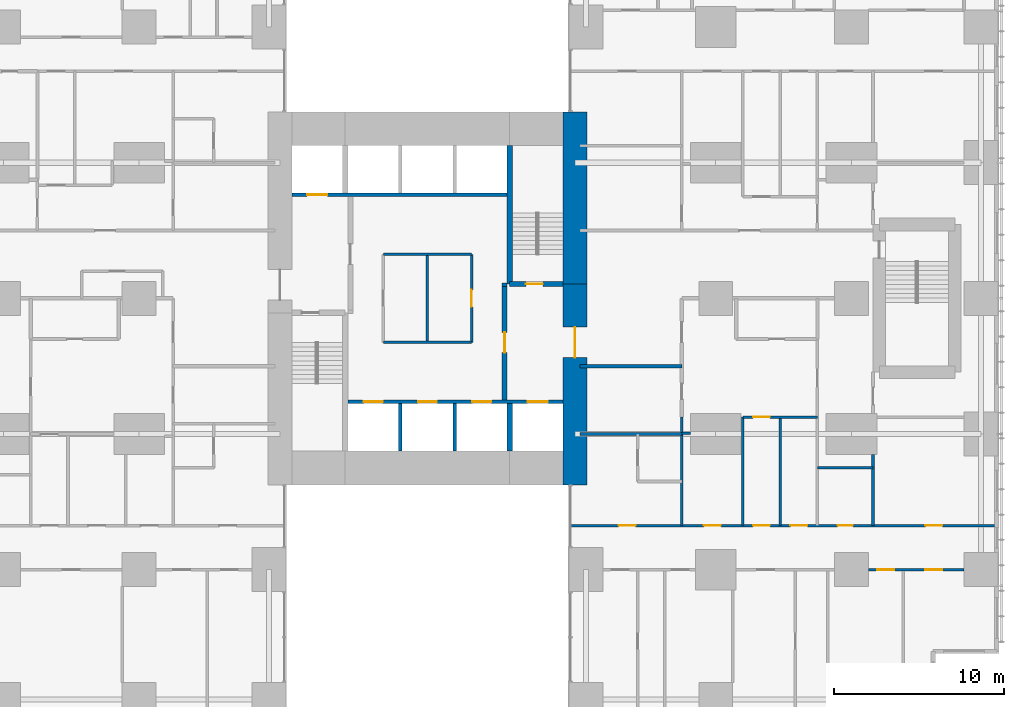
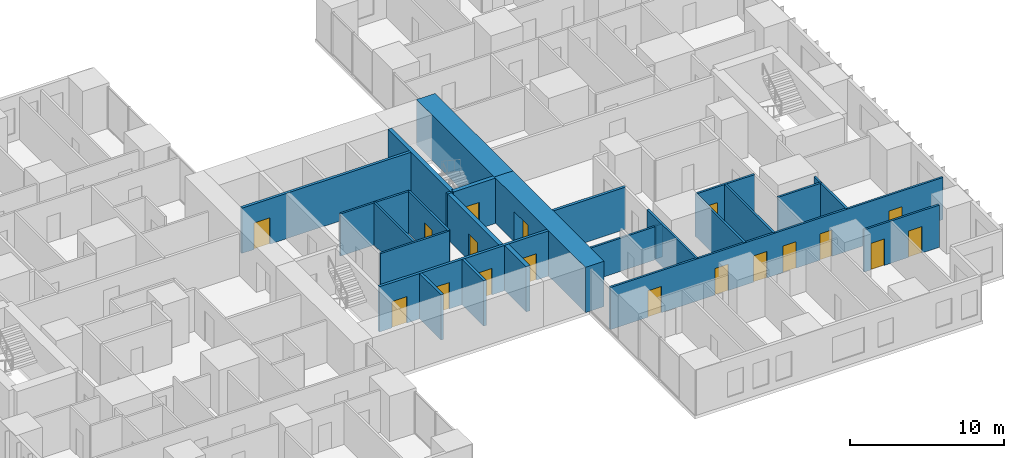
# One storey, part 15 of 20: 26 walls, 18 doors, 18 openings.
"""IFC4 building model written with IfcOpenShell, lengths in metres."""

from ifc_helpers import new_model, si_unit, direction, frame, frame_2d, origin, place, context, subcontext, project, spatial, rectangle, extrude, material, layer, layer_set, type_object, element, fill, save


model = new_model("IFC4")

# Units and contexts
model_context = context("Model", 3, precision=1e-05, world=origin(), true_north=direction((0.0, 1.0)))
body_context = subcontext(model_context, "Body", "Model", "MODEL_VIEW")
ifc_project = project(units=[si_unit("LENGTHUNIT", "METRE"), si_unit("AREAUNIT", "SQUARE_METRE"), si_unit("VOLUMEUNIT", "CUBIC_METRE"), si_unit("PLANEANGLEUNIT", "RADIAN"), si_unit("MASSUNIT", "GRAM", prefix="KILO")], contexts=[model_context])

# Site, building, storey
site_placement = place(None, origin())
site = spatial("IfcSite", under=ifc_project, at=site_placement, CompositionType="ELEMENT")
building_placement = place(site_placement, origin())
building = spatial("IfcBuilding", under=site, at=building_placement, Name="Cleftline Residences", CompositionType="ELEMENT")
storey_placement = place(building_placement, frame((0.0, 0.0, 83.60009765625)))
storey = spatial("IfcBuildingStorey", under=building, at=storey_placement, Name="L21", CompositionType="ELEMENT", Elevation=83.60009765625)

# Wall, opening, door
ifc_material_1 = material(Name="Concrete B70", Category="concrete")
ifc_layer_1 = layer(ifc_material_1, 1.39990234375)
ifc_layer_set_1 = layer_set([ifc_layer_1], Name="CORE WALL 1400")
wall_type_1 = type_object("IfcWallType", Name="CORE WALL 1400", PredefinedType="SHEAR", material=ifc_layer_set_1)
wall_1_placement = place(storey_placement, frame((41.699951171875, 13.0, 0.0), z_axis=(0.0, 0.0, 1.0), x_axis=(0.0, 1.0, 0.0)))
wall_1 = element("IfcWall", 1, at=wall_1_placement, inside=storey, type_object=wall_type_1, Name="Core wall E", PredefinedType="SHEAR", context=body_context, shape_type="SweptSolid", body=[
    extrude(rectangle(XDim=11.85009765625, YDim=1.39990234375, at=frame_2d((5.925048828125, 0.0))), origin(), (0.0, 0.0, 1.0), 3.599853515625),
])
opening_1_placement = place(wall_1_placement, frame((7.5, 0.0, 0.0)))
opening_1 = element("IfcOpeningElement", 2, at=opening_1_placement, cuts=wall_1, Name="Opening D7", PredefinedType="OPENING", context=body_context, shape_type="SweptSolid", body=[
    extrude(rectangle(XDim=1.800048828125, YDim=2.39990234375, at=frame_2d((0.89990234375, 1.199951171875))), frame((0.0, 0.7099609375, 0.0), z_axis=(0.0, -1.0, 0.0), x_axis=(1.0, 0.0, 0.0)), (0.0, 0.0, 1.0), 1.419921875),
])
ifc_material_2 = material(Name="Steel", Category="steel")
door_type_1 = type_object("IfcDoorType", Name="WING DOOR 1800X2400", OperationType="DOUBLE_DOOR_DOUBLE_SWING", PredefinedType="DOOR", material=ifc_material_2)
door_1_placement = place(opening_1_placement, origin())
door_1 = element("IfcDoor", 3, at=door_1_placement, inside=storey, type_object=door_type_1, Name="East wing door", OperationType="DOUBLE_DOOR_DOUBLE_SWING", OverallHeight=2.39990234375, OverallWidth=1.800048828125, PredefinedType="DOOR", context=body_context, shape_type="SweptSolid", body=[
    extrude(rectangle(XDim=1.800048828125, YDim=2.39990234375, at=frame_2d((0.89990234375, 1.199951171875))), frame((0.0, 0.02490234375, 0.0), z_axis=(0.0, -1.0, 0.0), x_axis=(1.0, 0.0, 0.0)), (0.0, 0.0, 1.0), 0.050048828125),
])
fill(opening_1, door_1)

# Walls
wall_2_placement = place(storey_placement, frame((41.699951171875, 24.85009765625, 0.0), z_axis=(0.0, 0.0, 1.0), x_axis=(0.0, 1.0, 0.0)))
element("IfcWall", 4, at=wall_2_placement, inside=storey, type_object=wall_type_1, Name="Core wall E1", PredefinedType="SHEAR", context=body_context, shape_type="SweptSolid", body=[
    extrude(rectangle(XDim=10.14990234375, YDim=1.39990234375, at=frame_2d((5.074951171875, 0.0))), origin(), (0.0, 0.0, 1.0), 3.599853515625),
])
ifc_material_3 = material(Name="Concrete B70", Category="concrete")
ifc_layer_2 = layer(ifc_material_3, 0.300048828125)
ifc_layer_set_2 = layer_set([ifc_layer_2], Name="CORE WALL 300")
wall_type_2 = type_object("IfcWallType", Name="CORE WALL 300", PredefinedType="SHEAR", material=ifc_layer_set_2)
wall_3_placement = place(storey_placement, frame((37.85009765625, 24.85009765625, 0.0), z_axis=(0.0, 0.0, 1.0), x_axis=(0.0, 1.0, 0.0)))
element("IfcWall", 5, at=wall_3_placement, inside=storey, type_object=wall_type_2, Name="Core wall SB-W", PredefinedType="SHEAR", context=body_context, shape_type="SweptSolid", body=[
    extrude(rectangle(XDim=8.14990234375, YDim=0.300048828125, at=frame_2d((4.074951171875, 0.0))), origin(), (0.0, 0.0, 1.0), 3.599853515625),
])

# Wall, opening, door
wall_4_placement = place(storey_placement, frame((37.85009765625, 24.85009765625, 0.0), z_axis=(0.0, 0.0, 1.0), x_axis=(1.0, 0.0, 0.0)))
wall_4 = element("IfcWall", 6, at=wall_4_placement, inside=storey, type_object=wall_type_2, Name="Core wall SB-S", PredefinedType="SHEAR", context=body_context, shape_type="SweptSolid", body=[
    extrude(rectangle(XDim=3.14990234375, YDim=0.300048828125, at=frame_2d((1.574951171875, 0.0))), origin(), (0.0, 0.0, 1.0), 3.599853515625),
])
opening_2_placement = place(wall_4_placement, frame((0.949951171875, 0.0, 0.0)))
opening_2 = element("IfcOpeningElement", 7, at=opening_2_placement, cuts=wall_4, Name="Opening D5", PredefinedType="OPENING", context=body_context, shape_type="SweptSolid", body=[
    extrude(rectangle(XDim=1.0, YDim=2.10009765625, at=frame_2d((0.5, 1.050048828125))), frame((0.0, 0.159912109375, 0.0), z_axis=(0.0, -1.0, 0.0), x_axis=(1.0, 0.0, 0.0)), (0.0, 0.0, 1.0), 0.320068359375),
])
ifc_material_4 = material(Name="Steel", Category="steel")
door_type_2 = type_object("IfcDoorType", Name="STAIR DOOR 1000X2100", OperationType="SINGLE_SWING_LEFT", PredefinedType="DOOR", material=ifc_material_4)
door_2_placement = place(opening_2_placement, origin())
door_2 = element("IfcDoor", 8, at=door_2_placement, inside=storey, type_object=door_type_2, Name="Stair B door", OperationType="SINGLE_SWING_RIGHT", OverallHeight=2.10009765625, OverallWidth=1.0, PredefinedType="DOOR", context=body_context, shape_type="SweptSolid", body=[
    extrude(rectangle(XDim=1.0, YDim=2.10009765625, at=frame_2d((0.5, 1.050048828125))), frame((0.0, 0.02490234375, 0.0), z_axis=(0.0, -1.0, 0.0), x_axis=(1.0, 0.0, 0.0)), (0.0, 0.0, 1.0), 0.050048828125),
])
fill(opening_2, door_2)

# Walls
wall_5_placement = place(storey_placement, frame((37.85009765625, 15.0, 0.0), z_axis=(0.0, 0.0, 1.0), x_axis=(0.0, 1.0, 0.0)))
element("IfcWall", 9, at=wall_5_placement, inside=storey, type_object=wall_type_2, Name="Lift shaft wall", PredefinedType="SHEAR", context=body_context, shape_type="SweptSolid", body=[
    extrude(rectangle(XDim=2.800048828125, YDim=0.300048828125, at=frame_2d((1.39990234375, 0.0))), origin(), (0.0, 0.0, 1.0), 3.599853515625),
])
ifc_material_5 = material(Name="Concrete blockwork, fire rated", Category="masonry")
ifc_layer_3 = layer(ifc_material_5, 0.199951171875)
ifc_layer_set_3 = layer_set([ifc_layer_3], Name="FIRE WALL 200")
wall_type_3 = type_object("IfcWallType", Name="FIRE WALL 200", PredefinedType="PARTITIONING", material=ifc_layer_set_3)
wall_6_placement = place(storey_placement, frame((42.0, 20.0, 0.0), z_axis=(0.0, 0.0, 1.0), x_axis=(1.0, 0.0, 0.0)))
element("IfcWall", 10, at=wall_6_placement, inside=storey, type_object=wall_type_3, Name="Fire separating wall", PredefinedType="PARTITIONING", context=body_context, shape_type="SweptSolid", body=[
    extrude(rectangle(XDim=6.0, YDim=0.199951171875, at=frame_2d((3.0, 0.0))), origin(), (0.0, 0.0, 1.0), 3.349853515625),
])
wall_7_placement = place(storey_placement, frame((37.39990234375, 24.800048828125, 0.0), z_axis=(0.0, 0.0, 1.0), x_axis=(1.0, 0.0, 0.0)))
element("IfcWall", 11, at=wall_7_placement, inside=storey, type_object=wall_type_3, Name="Fire separating wall", PredefinedType="PARTITIONING", context=body_context, shape_type="SweptSolid", body=[
    extrude(rectangle(XDim=0.300048828125, YDim=0.199951171875, at=frame_2d((0.14990234375, 0.0))), origin(), (0.0, 0.0, 1.0), 3.599853515625),
])

# Wall, openings, doors
ifc_material_6 = material(Name="Gypsum board on steel studs", Category="steel")
ifc_layer_4 = layer(ifc_material_6, 0.14990234375)
ifc_layer_set_4 = layer_set([ifc_layer_4], Name="PARTITION 150")
wall_type_4 = type_object("IfcWallType", Name="PARTITION 150", PredefinedType="PARTITIONING", material=ifc_layer_set_4)
wall_8_placement = place(storey_placement, frame((59.0, 8.0, 0.0), z_axis=(0.0, 0.0, 1.0), x_axis=(1.0, 0.0, 0.0)))
wall_8 = element("IfcWall", 12, at=wall_8_placement, inside=storey, type_object=wall_type_4, Name="Partition", PredefinedType="PARTITIONING", context=body_context, shape_type="SweptSolid", body=[
    extrude(rectangle(XDim=5.64990234375, YDim=0.14990234375, at=frame_2d((2.824951171875, 0.0))), origin(), (0.0, 0.0, 1.0), 3.349853515625),
])
opening_3_placement = place(wall_8_placement, frame((3.35009765625, 0.0, 0.0)))
opening_3 = element("IfcOpeningElement", 13, at=opening_3_placement, cuts=wall_8, Name="Opening D2", PredefinedType="OPENING", context=body_context, shape_type="SweptSolid", body=[
    extrude(rectangle(XDim=1.0, YDim=2.10009765625, at=frame_2d((0.5, 1.050048828125))), frame((0.0, 0.0849609375, 0.0), z_axis=(0.0, -1.0, 0.0), x_axis=(1.0, 0.0, 0.0)), (0.0, 0.0, 1.0), 0.169921875),
])
opening_4_placement = place(wall_8_placement, frame((0.52490234375, 0.0, 0.0)))
opening_4 = element("IfcOpeningElement", 14, at=opening_4_placement, cuts=wall_8, Name="Opening D2", PredefinedType="OPENING", context=body_context, shape_type="SweptSolid", body=[
    extrude(rectangle(XDim=1.0, YDim=2.10009765625, at=frame_2d((0.5, 1.050048828125))), frame((0.0, 0.0849609375, 0.0), z_axis=(0.0, -1.0, 0.0), x_axis=(1.0, 0.0, 0.0)), (0.0, 0.0, 1.0), 0.169921875),
])
ifc_material_7 = material(Name="Timber veneer on solid core", Category="wood")
door_type_3 = type_object("IfcDoorType", Name="DOOR 1000X2100", OperationType="SINGLE_SWING_LEFT", PredefinedType="DOOR", material=ifc_material_7)
door_3_placement = place(opening_3_placement, origin())
door_3 = element("IfcDoor", 15, at=door_3_placement, inside=storey, type_object=door_type_3, Name="Door to bedroom 2 sitting room", OperationType="SINGLE_SWING_LEFT", OverallHeight=2.10009765625, OverallWidth=1.0, PredefinedType="DOOR", context=body_context, shape_type="SweptSolid", body=[
    extrude(rectangle(XDim=1.0, YDim=2.10009765625, at=frame_2d((0.5, 1.050048828125))), frame((0.0, 0.02490234375, 0.0), z_axis=(0.0, -1.0, 0.0), x_axis=(1.0, 0.0, 0.0)), (0.0, 0.0, 1.0), 0.050048828125),
])
fill(opening_3, door_3)
door_4_placement = place(opening_4_placement, origin())
door_4 = element("IfcDoor", 16, at=door_4_placement, inside=storey, type_object=door_type_3, Name="Door to bedroom 2", OperationType="SINGLE_SWING_RIGHT", OverallHeight=2.10009765625, OverallWidth=1.0, PredefinedType="DOOR", context=body_context, shape_type="SweptSolid", body=[
    extrude(rectangle(XDim=1.0, YDim=2.10009765625, at=frame_2d((0.5, 1.050048828125))), frame((0.0, 0.02490234375, 0.0), z_axis=(0.0, -1.0, 0.0), x_axis=(1.0, 0.0, 0.0)), (0.0, 0.0, 1.0), 0.050048828125),
])
fill(opening_4, door_4)

wall_9_placement = place(storey_placement, frame((41.43896484375, 10.60009765625, 0.0), z_axis=(0.0, 0.0, 1.0), x_axis=(1.0, 0.0, 0.0)))
wall_9 = element("IfcWall", 17, at=wall_9_placement, inside=storey, type_object=wall_type_4, Name="Partition", PredefinedType="PARTITIONING", context=body_context, shape_type="SweptSolid", body=[
    extrude(rectangle(XDim=25.010986328125, YDim=0.14990234375, at=frame_2d((12.50537109375, 0.0))), origin(), (0.0, 0.0, 1.0), 3.349853515625),
])
opening_5_placement = place(wall_9_placement, frame((10.760986328125, 0.0, 0.0)))
opening_5 = element("IfcOpeningElement", 18, at=opening_5_placement, cuts=wall_9, Name="Opening D2", PredefinedType="OPENING", context=body_context, shape_type="SweptSolid", body=[
    extrude(rectangle(XDim=1.0, YDim=2.10009765625, at=frame_2d((0.5, 1.050048828125))), frame((0.0, 0.0849609375, 0.0), z_axis=(0.0, -1.0, 0.0), x_axis=(1.0, 0.0, 0.0)), (0.0, 0.0, 1.0), 0.169921875),
])
opening_6_placement = place(wall_9_placement, frame((20.923583984375, 0.0, 0.0)))
opening_6 = element("IfcOpeningElement", 19, at=opening_6_placement, cuts=wall_9, Name="Opening D2", PredefinedType="OPENING", context=body_context, shape_type="SweptSolid", body=[
    extrude(rectangle(XDim=1.0, YDim=2.10009765625, at=frame_2d((0.5, 1.050048828125))), frame((0.0, 0.0849609375, 0.0), z_axis=(0.0, -1.0, 0.0), x_axis=(1.0, 0.0, 0.0)), (0.0, 0.0, 1.0), 0.169921875),
])
opening_7_placement = place(wall_9_placement, frame((15.74853515625, 0.0, 0.0)))
opening_7 = element("IfcOpeningElement", 20, at=opening_7_placement, cuts=wall_9, Name="Opening D1", PredefinedType="OPENING", context=body_context, shape_type="SweptSolid", body=[
    extrude(rectangle(XDim=0.89990234375, YDim=2.10009765625, at=frame_2d((0.449951171875, 1.050048828125))), frame((0.0, 0.0849609375, 0.0), z_axis=(0.0, -1.0, 0.0), x_axis=(1.0, 0.0, 0.0)), (0.0, 0.0, 1.0), 0.169921875),
])
opening_8_placement = place(wall_9_placement, frame((12.9609375, 0.0, 0.0)))
opening_8 = element("IfcOpeningElement", 21, at=opening_8_placement, cuts=wall_9, Name="Opening D2", PredefinedType="OPENING", context=body_context, shape_type="SweptSolid", body=[
    extrude(rectangle(XDim=1.0, YDim=2.10009765625, at=frame_2d((0.5, 1.050048828125))), frame((0.0, 0.0849609375, 0.0), z_axis=(0.0, -1.0, 0.0), x_axis=(1.0, 0.0, 0.0)), (0.0, 0.0, 1.0), 0.169921875),
])
opening_9_placement = place(wall_9_placement, frame((7.861083984375, 0.0, 0.0)))
opening_9 = element("IfcOpeningElement", 22, at=opening_9_placement, cuts=wall_9, Name="Opening D2", PredefinedType="OPENING", context=body_context, shape_type="SweptSolid", body=[
    extrude(rectangle(XDim=1.0, YDim=2.10009765625, at=frame_2d((0.5, 1.050048828125))), frame((0.0, 0.0849609375, 0.0), z_axis=(0.0, -1.0, 0.0), x_axis=(1.0, 0.0, 0.0)), (0.0, 0.0, 1.0), 0.169921875),
])
opening_10_placement = place(wall_9_placement, frame((2.8359375, 0.0, 0.0)))
opening_10 = element("IfcOpeningElement", 23, at=opening_10_placement, cuts=wall_9, Name="Opening D2", PredefinedType="OPENING", context=body_context, shape_type="SweptSolid", body=[
    extrude(rectangle(XDim=1.0, YDim=2.10009765625, at=frame_2d((0.5, 1.050048828125))), frame((0.0, 0.0849609375, 0.0), z_axis=(0.0, -1.0, 0.0), x_axis=(1.0, 0.0, 0.0)), (0.0, 0.0, 1.0), 0.169921875),
])
door_5_placement = place(opening_5_placement, origin())
door_5 = element("IfcDoor", 24, at=door_5_placement, inside=storey, type_object=door_type_3, Name="Door to residence hall", OperationType="SINGLE_SWING_RIGHT", OverallHeight=2.10009765625, OverallWidth=1.0, PredefinedType="DOOR", context=body_context, shape_type="SweptSolid", body=[
    extrude(rectangle(XDim=1.0, YDim=2.10009765625, at=frame_2d((0.5, 1.050048828125))), frame((0.0, 0.02490234375, 0.0), z_axis=(0.0, -1.0, 0.0), x_axis=(1.0, 0.0, 0.0)), (0.0, 0.0, 1.0), 0.050048828125),
])
fill(opening_5, door_5)
door_6_placement = place(opening_6_placement, origin())
door_6 = element("IfcDoor", 25, at=door_6_placement, inside=storey, type_object=door_type_3, Name="Door to sea-view living room", OperationType="SINGLE_SWING_LEFT", OverallHeight=2.10009765625, OverallWidth=1.0, PredefinedType="DOOR", context=body_context, shape_type="SweptSolid", body=[
    extrude(rectangle(XDim=1.0, YDim=2.10009765625, at=frame_2d((0.5, 1.050048828125))), frame((0.0, 0.02490234375, 0.0), z_axis=(0.0, -1.0, 0.0), x_axis=(1.0, 0.0, 0.0)), (0.0, 0.0, 1.0), 0.050048828125),
])
fill(opening_6, door_6)
door_7_placement = place(opening_8_placement, origin())
door_7 = element("IfcDoor", 26, at=door_7_placement, inside=storey, type_object=door_type_3, Name="Door to family room", OperationType="SINGLE_SWING_LEFT", OverallHeight=2.10009765625, OverallWidth=1.0, PredefinedType="DOOR", context=body_context, shape_type="SweptSolid", body=[
    extrude(rectangle(XDim=1.0, YDim=2.10009765625, at=frame_2d((0.5, 1.050048828125))), frame((0.0, 0.02490234375, 0.0), z_axis=(0.0, -1.0, 0.0), x_axis=(1.0, 0.0, 0.0)), (0.0, 0.0, 1.0), 0.050048828125),
])
fill(opening_8, door_7)
door_8_placement = place(opening_9_placement, origin())
door_8 = element("IfcDoor", 27, at=door_8_placement, inside=storey, type_object=door_type_3, Name="Door to wet kitchen", OperationType="SINGLE_SWING_RIGHT", OverallHeight=2.10009765625, OverallWidth=1.0, PredefinedType="DOOR", context=body_context, shape_type="SweptSolid", body=[
    extrude(rectangle(XDim=1.0, YDim=2.10009765625, at=frame_2d((0.5, 1.050048828125))), frame((0.0, 0.02490234375, 0.0), z_axis=(0.0, -1.0, 0.0), x_axis=(1.0, 0.0, 0.0)), (0.0, 0.0, 1.0), 0.050048828125),
])
fill(opening_9, door_8)
door_9_placement = place(opening_10_placement, origin())
door_9 = element("IfcDoor", 28, at=door_9_placement, inside=storey, type_object=door_type_3, Name="Door to master bedroom", OperationType="SINGLE_SWING_RIGHT", OverallHeight=2.10009765625, OverallWidth=1.0, PredefinedType="DOOR", context=body_context, shape_type="SweptSolid", body=[
    extrude(rectangle(XDim=1.0, YDim=2.10009765625, at=frame_2d((0.5, 1.050048828125))), frame((0.0, 0.02490234375, 0.0), z_axis=(0.0, -1.0, 0.0), x_axis=(1.0, 0.0, 0.0)), (0.0, 0.0, 1.0), 0.050048828125),
])
fill(opening_10, door_9)
ifc_material_8 = material(Name="Timber veneer on solid core", Category="wood")
door_type_4 = type_object("IfcDoorType", Name="DOOR 900X2100", OperationType="SINGLE_SWING_LEFT", PredefinedType="DOOR", material=ifc_material_8)
door_10_placement = place(opening_7_placement, origin())
door_10 = element("IfcDoor", 29, at=door_10_placement, inside=storey, type_object=door_type_4, Name="Door to bedroom 2 bathroom", OperationType="SINGLE_SWING_LEFT", OverallHeight=2.10009765625, OverallWidth=0.89990234375, PredefinedType="DOOR", context=body_context, shape_type="SweptSolid", body=[
    extrude(rectangle(XDim=0.89990234375, YDim=2.10009765625, at=frame_2d((0.449951171875, 1.050048828125))), frame((0.0, 0.02490234375, 0.0), z_axis=(0.0, -1.0, 0.0), x_axis=(1.0, 0.0, 0.0)), (0.0, 0.0, 1.0), 0.050048828125),
])
fill(opening_7, door_10)

# Walls
wall_10_placement = place(storey_placement, frame((56.0, 14.0, 0.0), z_axis=(0.0, 0.0, 1.0), x_axis=(1.0, 0.0, 0.0)))
element("IfcWall", 30, at=wall_10_placement, inside=storey, type_object=wall_type_4, Name="Partition", PredefinedType="PARTITIONING", context=body_context, shape_type="SweptSolid", body=[
    extrude(rectangle(XDim=3.27490234375, YDim=0.14990234375, at=frame_2d((1.637451171875, 0.0))), origin(), (0.0, 0.0, 1.0), 3.349853515625),
])
wall_11_placement = place(storey_placement, frame((42.0, 16.0, 0.0), z_axis=(0.0, 0.0, 1.0), x_axis=(1.0, 0.0, 0.0)))
element("IfcWall", 31, at=wall_11_placement, inside=storey, type_object=wall_type_4, Name="Partition", PredefinedType="PARTITIONING", context=body_context, shape_type="SweptSolid", body=[
    extrude(rectangle(XDim=6.0, YDim=0.14990234375, at=frame_2d((3.0, 0.0))), origin(), (0.0, 0.0, 1.0), 2.6337890625),
])
wall_12_placement = place(storey_placement, frame((48.0, 16.050048828125, 0.0), z_axis=(0.0, 0.0, 1.0), x_axis=(1.0, 0.0, 0.0)))
element("IfcWall", 32, at=wall_12_placement, inside=storey, type_object=wall_type_4, Name="Partition", PredefinedType="PARTITIONING", context=body_context, shape_type="SweptSolid", body=[
    extrude(rectangle(XDim=0.5, YDim=0.14990234375, at=frame_2d((0.25, 0.0))), origin(), (0.0, 0.0, 1.0), 2.6337890625),
])

# Wall, opening, door
wall_13_placement = place(storey_placement, frame((51.60009765625, 17.0, 0.0), z_axis=(0.0, 0.0, 1.0), x_axis=(1.0, 0.0, 0.0)))
wall_13 = element("IfcWall", 33, at=wall_13_placement, inside=storey, type_object=wall_type_4, Name="Partition", PredefinedType="PARTITIONING", context=body_context, shape_type="SweptSolid", body=[
    extrude(rectangle(XDim=4.39990234375, YDim=0.14990234375, at=frame_2d((2.199951171875, 0.0))), origin(), (0.0, 0.0, 1.0), 3.349853515625),
])
opening_11_placement = place(wall_13_placement, frame((0.60009765625, 0.0, 0.0)))
opening_11 = element("IfcOpeningElement", 34, at=opening_11_placement, cuts=wall_13, Name="Opening D2", PredefinedType="OPENING", context=body_context, shape_type="SweptSolid", body=[
    extrude(rectangle(XDim=1.0, YDim=2.10009765625, at=frame_2d((0.5, 1.050048828125))), frame((0.0, 0.0849609375, 0.0), z_axis=(0.0, -1.0, 0.0), x_axis=(1.0, 0.0, 0.0)), (0.0, 0.0, 1.0), 0.169921875),
])
door_11_placement = place(opening_11_placement, origin())
door_11 = element("IfcDoor", 35, at=door_11_placement, inside=storey, type_object=door_type_3, Name="Door to residence passage", OperationType="SINGLE_SWING_RIGHT", OverallHeight=2.10009765625, OverallWidth=1.0, PredefinedType="DOOR", context=body_context, shape_type="SweptSolid", body=[
    extrude(rectangle(XDim=1.0, YDim=2.10009765625, at=frame_2d((0.5, 1.050048828125))), frame((0.0, 0.02490234375, 0.0), z_axis=(0.0, -1.0, 0.0), x_axis=(1.0, 0.0, 0.0)), (0.0, 0.0, 1.0), 0.050048828125),
])
fill(opening_11, door_11)

# Walls
for number, where, z_axis, x_axis, name in (
    (36, (48.0, 10.60009765625, 0.0), (0.0, 0.0, 1.0), (0.0, 1.0, 0.0), "Partition"),
    (37, (51.60009765625, 10.60009765625, 0.0), (0.0, 0.0, 1.0), (0.0, 1.0, 0.0), "Partition"),
    (38, (53.800048828125, 10.60009765625, 0.0), (0.0, 0.0, 1.0), (0.0, 1.0, 0.0), "Partition"),
):
    element("IfcWall", number, at=place(storey_placement, frame(where, z_axis=z_axis, x_axis=x_axis)), inside=storey, type_object=wall_type_4, Name=name, PredefinedType="PARTITIONING", context=body_context, shape_type="SweptSolid", body=[
        extrude(rectangle(XDim=6.39990234375, YDim=0.14990234375, at=frame_2d((3.199951171875, 0.0))), origin(), (0.0, 0.0, 1.0), 3.349853515625),
    ])
wall_14_placement = place(storey_placement, frame((59.27490234375, 10.60009765625, 0.0), z_axis=(0.0, 0.0, 1.0), x_axis=(0.0, 1.0, 0.0)))
element("IfcWall", 39, at=wall_14_placement, inside=storey, type_object=wall_type_4, Name="Partition", PredefinedType="PARTITIONING", context=body_context, shape_type="SweptSolid", body=[
    extrude(rectangle(XDim=4.199951171875, YDim=0.14990234375, at=frame_2d((2.10009765625, 0.0))), origin(), (0.0, 0.0, 1.0), 3.349853515625),
])
ifc_material_9 = material(Name="Fire-resisting gypsum board on steel studs", Category="steel")
ifc_layer_5 = layer(ifc_material_9, 0.14990234375)
ifc_layer_set_5 = layer_set([ifc_layer_5], Name="PARTITION 150 EI 60")
wall_type_5 = type_object("IfcWallType", Name="PARTITION 150 EI 60", PredefinedType="PARTITIONING", material=ifc_layer_set_5)
for number, where, z_axis, x_axis, name in (
    (40, (30.39990234375, 21.39990234375, 0.0), (0.0, 0.0, 1.0), (1.0, 0.0, 0.0), "Core room partition"),
    (41, (30.39990234375, 26.60009765625, 0.0), (0.0, 0.0, 1.0), (1.0, 0.0, 0.0), "Core room partition"),
):
    element("IfcWall", number, at=place(storey_placement, frame(where, z_axis=z_axis, x_axis=x_axis)), inside=storey, type_object=wall_type_5, Name=name, PredefinedType="PARTITIONING", context=body_context, shape_type="SweptSolid", body=[
        extrude(rectangle(XDim=5.2001953125, YDim=0.14990234375, at=frame_2d((2.60009765625, 0.0))), origin(), (0.0, 0.0, 1.0), 3.349853515625),
    ])

# Wall, opening, door
wall_15_placement = place(storey_placement, frame((35.60009765625, 21.39990234375, 0.0), z_axis=(0.0, 0.0, 1.0), x_axis=(0.0, 1.0, 0.0)))
wall_15 = element("IfcWall", 42, at=wall_15_placement, inside=storey, type_object=wall_type_5, Name="Core room partition", PredefinedType="PARTITIONING", context=body_context, shape_type="SweptSolid", body=[
    extrude(rectangle(XDim=5.2001953125, YDim=0.14990234375, at=frame_2d((2.60009765625, 0.0))), origin(), (0.0, 0.0, 1.0), 3.349853515625),
])
opening_12_placement = place(wall_15_placement, frame((2.10009765625, 0.0, 0.0)))
opening_12 = element("IfcOpeningElement", 43, at=opening_12_placement, cuts=wall_15, Name="Opening D2F60", PredefinedType="OPENING", context=body_context, shape_type="SweptSolid", body=[
    extrude(rectangle(XDim=1.0, YDim=2.10009765625, at=frame_2d((0.5, 1.050048828125))), frame((0.0, 0.0849609375, 0.0), z_axis=(0.0, -1.0, 0.0), x_axis=(1.0, 0.0, 0.0)), (0.0, 0.0, 1.0), 0.169921875),
])
ifc_material_10 = material(Name="Timber veneer on solid core", Category="wood")
door_type_5 = type_object("IfcDoorType", Name="DOOR 1000X2100 EI 60", OperationType="SINGLE_SWING_LEFT", PredefinedType="DOOR", material=ifc_material_10)
door_12_placement = place(opening_12_placement, origin())
door_12 = element("IfcDoor", 44, at=door_12_placement, inside=storey, type_object=door_type_5, Name="Door to communications room", OperationType="SINGLE_SWING_LEFT", OverallHeight=2.10009765625, OverallWidth=1.0, PredefinedType="DOOR", context=body_context, shape_type="SweptSolid", body=[
    extrude(rectangle(XDim=1.0, YDim=2.10009765625, at=frame_2d((0.5, 1.050048828125))), frame((0.0, 0.02490234375, 0.0), z_axis=(0.0, -1.0, 0.0), x_axis=(1.0, 0.0, 0.0)), (0.0, 0.0, 1.0), 0.050048828125),
])
fill(opening_12, door_12)

# Wall
wall_16_placement = place(storey_placement, frame((33.0, 21.39990234375, 0.0), z_axis=(0.0, 0.0, 1.0), x_axis=(0.0, 1.0, 0.0)))
element("IfcWall", 45, at=wall_16_placement, inside=storey, type_object=wall_type_5, Name="Core room partition", PredefinedType="PARTITIONING", context=body_context, shape_type="SweptSolid", body=[
    extrude(rectangle(XDim=5.2001953125, YDim=0.14990234375, at=frame_2d((2.60009765625, 0.0))), origin(), (0.0, 0.0, 1.0), 3.349853515625),
])

# Wall, openings, doors
ifc_material_11 = material(Name="Concrete blockwork, fire rated", Category="masonry")
ifc_layer_6 = layer(ifc_material_11, 0.199951171875)
ifc_layer_set_6 = layer_set([ifc_layer_6], Name="SHAFT WALL 200")
wall_type_6 = type_object("IfcWallType", Name="SHAFT WALL 200", PredefinedType="PARTITIONING", material=ifc_layer_set_6)
wall_17_placement = place(storey_placement, frame((28.300048828125, 17.89990234375, 0.0), z_axis=(0.0, 0.0, 1.0), x_axis=(1.0, 0.0, 0.0)))
wall_17 = element("IfcWall", 46, at=wall_17_placement, inside=storey, type_object=wall_type_6, Name="Lift shaft wall", PredefinedType="PARTITIONING", context=body_context, shape_type="SweptSolid", body=[
    extrude(rectangle(XDim=12.699951171875, YDim=0.199951171875, at=frame_2d((6.35009765625, 0.0))), origin(), (0.0, 0.0, 1.0), 3.599853515625),
])
opening_13_placement = place(wall_17_placement, frame((0.949951171875, 0.0, 0.0)))
opening_13 = element("IfcOpeningElement", 47, at=opening_13_placement, cuts=wall_17, Name="Opening LD1", PredefinedType="OPENING", context=body_context, shape_type="SweptSolid", body=[
    extrude(rectangle(XDim=1.10009765625, YDim=2.10009765625, at=frame_2d((0.550048828125, 1.050048828125))), frame((0.0, 0.10986328125, 0.0), z_axis=(0.0, -1.0, 0.0), x_axis=(1.0, 0.0, 0.0)), (0.0, 0.0, 1.0), 0.219970703125),
])
opening_14_placement = place(wall_17_placement, frame((4.14990234375, 0.0, 0.0)))
opening_14 = element("IfcOpeningElement", 48, at=opening_14_placement, cuts=wall_17, Name="Opening LD1", PredefinedType="OPENING", context=body_context, shape_type="SweptSolid", body=[
    extrude(rectangle(XDim=1.10009765625, YDim=2.10009765625, at=frame_2d((0.550048828125, 1.050048828125))), frame((0.0, 0.10986328125, 0.0), z_axis=(0.0, -1.0, 0.0), x_axis=(1.0, 0.0, 0.0)), (0.0, 0.0, 1.0), 0.219970703125),
])
opening_15_placement = place(wall_17_placement, frame((7.35009765625, 0.0, 0.0)))
opening_15 = element("IfcOpeningElement", 49, at=opening_15_placement, cuts=wall_17, Name="Opening LD1", PredefinedType="OPENING", context=body_context, shape_type="SweptSolid", body=[
    extrude(rectangle(XDim=1.10009765625, YDim=2.10009765625, at=frame_2d((0.550048828125, 1.050048828125))), frame((0.0, 0.10986328125, 0.0), z_axis=(0.0, -1.0, 0.0), x_axis=(1.0, 0.0, 0.0)), (0.0, 0.0, 1.0), 0.219970703125),
])
opening_16_placement = place(wall_17_placement, frame((10.60009765625, 0.0, 0.0)))
opening_16 = element("IfcOpeningElement", 50, at=opening_16_placement, cuts=wall_17, Name="Opening LD2", PredefinedType="OPENING", context=body_context, shape_type="SweptSolid", body=[
    extrude(rectangle(XDim=1.199951171875, YDim=2.10009765625, at=frame_2d((0.60009765625, 1.050048828125))), frame((0.0, 0.10986328125, 0.0), z_axis=(0.0, -1.0, 0.0), x_axis=(1.0, 0.0, 0.0)), (0.0, 0.0, 1.0), 0.219970703125),
])
ifc_material_12 = material(Name="Steel", Category="steel")
door_type_6 = type_object("IfcDoorType", Name="FIREFIGHTING LIFT LANDING DOOR 1200X2100", OperationType="SLIDING_TO_LEFT", PredefinedType="DOOR", material=ifc_material_12)
door_13_placement = place(opening_16_placement, origin())
door_13 = element("IfcDoor", 51, at=door_13_placement, inside=storey, type_object=door_type_6, Name="Lift FL2 landing door", OperationType="SLIDING_TO_LEFT", OverallHeight=2.10009765625, OverallWidth=1.199951171875, PredefinedType="DOOR", context=body_context, shape_type="SweptSolid", body=[
    extrude(rectangle(XDim=1.199951171875, YDim=2.10009765625, at=frame_2d((0.60009765625, 1.050048828125))), frame((0.0, 0.02490234375, 0.0), z_axis=(0.0, -1.0, 0.0), x_axis=(1.0, 0.0, 0.0)), (0.0, 0.0, 1.0), 0.050048828125),
])
fill(opening_16, door_13)
ifc_material_13 = material(Name="Steel", Category="steel")
door_type_7 = type_object("IfcDoorType", Name="LIFT LANDING DOOR 1100X2100", OperationType="SLIDING_TO_LEFT", PredefinedType="DOOR", material=ifc_material_13)
door_14_placement = place(opening_13_placement, origin())
door_14 = element("IfcDoor", 52, at=door_14_placement, inside=storey, type_object=door_type_7, Name="Lift P1 landing door", OperationType="SLIDING_TO_LEFT", OverallHeight=2.10009765625, OverallWidth=1.10009765625, PredefinedType="DOOR", context=body_context, shape_type="SweptSolid", body=[
    extrude(rectangle(XDim=1.10009765625, YDim=2.10009765625, at=frame_2d((0.550048828125, 1.050048828125))), frame((0.0, 0.02490234375, 0.0), z_axis=(0.0, -1.0, 0.0), x_axis=(1.0, 0.0, 0.0)), (0.0, 0.0, 1.0), 0.050048828125),
])
fill(opening_13, door_14)
door_15_placement = place(opening_14_placement, origin())
door_15 = element("IfcDoor", 53, at=door_15_placement, inside=storey, type_object=door_type_7, Name="Lift P2 landing door", OperationType="SLIDING_TO_LEFT", OverallHeight=2.10009765625, OverallWidth=1.10009765625, PredefinedType="DOOR", context=body_context, shape_type="SweptSolid", body=[
    extrude(rectangle(XDim=1.10009765625, YDim=2.10009765625, at=frame_2d((0.550048828125, 1.050048828125))), frame((0.0, 0.02490234375, 0.0), z_axis=(0.0, -1.0, 0.0), x_axis=(1.0, 0.0, 0.0)), (0.0, 0.0, 1.0), 0.050048828125),
])
fill(opening_14, door_15)
door_16_placement = place(opening_15_placement, origin())
door_16 = element("IfcDoor", 54, at=door_16_placement, inside=storey, type_object=door_type_7, Name="Lift P3 landing door", OperationType="SLIDING_TO_LEFT", OverallHeight=2.10009765625, OverallWidth=1.10009765625, PredefinedType="DOOR", context=body_context, shape_type="SweptSolid", body=[
    extrude(rectangle(XDim=1.10009765625, YDim=2.10009765625, at=frame_2d((0.550048828125, 1.050048828125))), frame((0.0, 0.02490234375, 0.0), z_axis=(0.0, -1.0, 0.0), x_axis=(1.0, 0.0, 0.0)), (0.0, 0.0, 1.0), 0.050048828125),
])
fill(opening_15, door_16)

# Wall, opening, door
wall_18_placement = place(storey_placement, frame((25.0, 30.10009765625, 0.0), z_axis=(0.0, 0.0, 1.0), x_axis=(1.0, 0.0, 0.0)))
wall_18 = element("IfcWall", 55, at=wall_18_placement, inside=storey, type_object=wall_type_6, Name="Lift shaft wall", PredefinedType="PARTITIONING", context=body_context, shape_type="SweptSolid", body=[
    extrude(rectangle(XDim=12.699951171875, YDim=0.199951171875, at=frame_2d((6.35009765625, 0.0))), origin(), (0.0, 0.0, 1.0), 3.599853515625),
])
opening_17_placement = place(wall_18_placement, frame((0.89990234375, 0.0, 0.0)))
opening_17 = element("IfcOpeningElement", 56, at=opening_17_placement, cuts=wall_18, Name="Opening LD2", PredefinedType="OPENING", context=body_context, shape_type="SweptSolid", body=[
    extrude(rectangle(XDim=1.199951171875, YDim=2.10009765625, at=frame_2d((0.60009765625, 1.050048828125))), frame((0.0, 0.10986328125, 0.0), z_axis=(0.0, -1.0, 0.0), x_axis=(1.0, 0.0, 0.0)), (0.0, 0.0, 1.0), 0.219970703125),
])
door_17_placement = place(opening_17_placement, origin())
door_17 = element("IfcDoor", 57, at=door_17_placement, inside=storey, type_object=door_type_6, Name="Lift FL1 landing door", OperationType="SLIDING_TO_LEFT", OverallHeight=2.10009765625, OverallWidth=1.199951171875, PredefinedType="DOOR", context=body_context, shape_type="SweptSolid", body=[
    extrude(rectangle(XDim=1.199951171875, YDim=2.10009765625, at=frame_2d((0.60009765625, 1.050048828125))), frame((0.0, 0.02490234375, 0.0), z_axis=(0.0, -1.0, 0.0), x_axis=(1.0, 0.0, 0.0)), (0.0, 0.0, 1.0), 0.050048828125),
])
fill(opening_17, door_17)

# Walls
for number, where, z_axis, x_axis, name in (
    (58, (31.39990234375, 15.0, 0.0), (0.0, 0.0, 1.0), (0.0, 1.0, 0.0), "Lift shaft wall"),
    (59, (34.60009765625, 15.0, 0.0), (0.0, 0.0, 1.0), (0.0, 1.0, 0.0), "Lift shaft wall"),
):
    element("IfcWall", number, at=place(storey_placement, frame(where, z_axis=z_axis, x_axis=x_axis)), inside=storey, type_object=wall_type_6, Name=name, PredefinedType="PARTITIONING", context=body_context, shape_type="SweptSolid", body=[
        extrude(rectangle(XDim=2.800048828125, YDim=0.199951171875, at=frame_2d((1.39990234375, 0.0))), origin(), (0.0, 0.0, 1.0), 3.599853515625),
    ])

# Wall, opening, door
ifc_material_14 = material(Name="Concrete blockwork, fire rated", Category="masonry")
ifc_layer_7 = layer(ifc_material_14, 0.300048828125)
ifc_layer_set_7 = layer_set([ifc_layer_7], Name="STAIR LOBBY WALL 300")
wall_type_7 = type_object("IfcWallType", Name="STAIR LOBBY WALL 300", PredefinedType="PARTITIONING", material=ifc_layer_set_7)
wall_19_placement = place(storey_placement, frame((37.550048828125, 18.0, 0.0), z_axis=(0.0, 0.0, 1.0), x_axis=(0.0, 1.0, 0.0)))
wall_19 = element("IfcWall", 60, at=wall_19_placement, inside=storey, type_object=wall_type_7, Name="Stair and lobby wall FB-W", PredefinedType="PARTITIONING", context=body_context, shape_type="SweptSolid", body=[
    extrude(rectangle(XDim=6.699951171875, YDim=0.300048828125, at=frame_2d((3.35009765625, 0.0))), origin(), (0.0, 0.0, 1.0), 3.599853515625),
])
opening_18_placement = place(wall_19_placement, frame((2.800048828125, 0.0, 0.0)))
opening_18 = element("IfcOpeningElement", 61, at=opening_18_placement, cuts=wall_19, Name="Opening D6", PredefinedType="OPENING", context=body_context, shape_type="SweptSolid", body=[
    extrude(rectangle(XDim=1.199951171875, YDim=2.10009765625, at=frame_2d((0.60009765625, 1.050048828125))), frame((0.0, 0.159912109375, 0.0), z_axis=(0.0, -1.0, 0.0), x_axis=(1.0, 0.0, 0.0)), (0.0, 0.0, 1.0), 0.320068359375),
])
ifc_material_15 = material(Name="Steel", Category="steel")
door_type_8 = type_object("IfcDoorType", Name="LOBBY DOOR 1200X2100", OperationType="SINGLE_SWING_RIGHT", PredefinedType="DOOR", material=ifc_material_15)
door_18_placement = place(opening_18_placement, origin())
door_18 = element("IfcDoor", 62, at=door_18_placement, inside=storey, type_object=door_type_8, Name="Firefighting lobby B door", OperationType="SINGLE_SWING_LEFT", OverallHeight=2.10009765625, OverallWidth=1.199951171875, PredefinedType="DOOR", context=body_context, shape_type="SweptSolid", body=[
    extrude(rectangle(XDim=1.199951171875, YDim=2.10009765625, at=frame_2d((0.60009765625, 1.050048828125))), frame((0.0, 0.02490234375, 0.0), z_axis=(0.0, -1.0, 0.0), x_axis=(1.0, 0.0, 0.0)), (0.0, 0.0, 1.0), 0.050048828125),
])
fill(opening_18, door_18)

save(model, "model.ifc")
